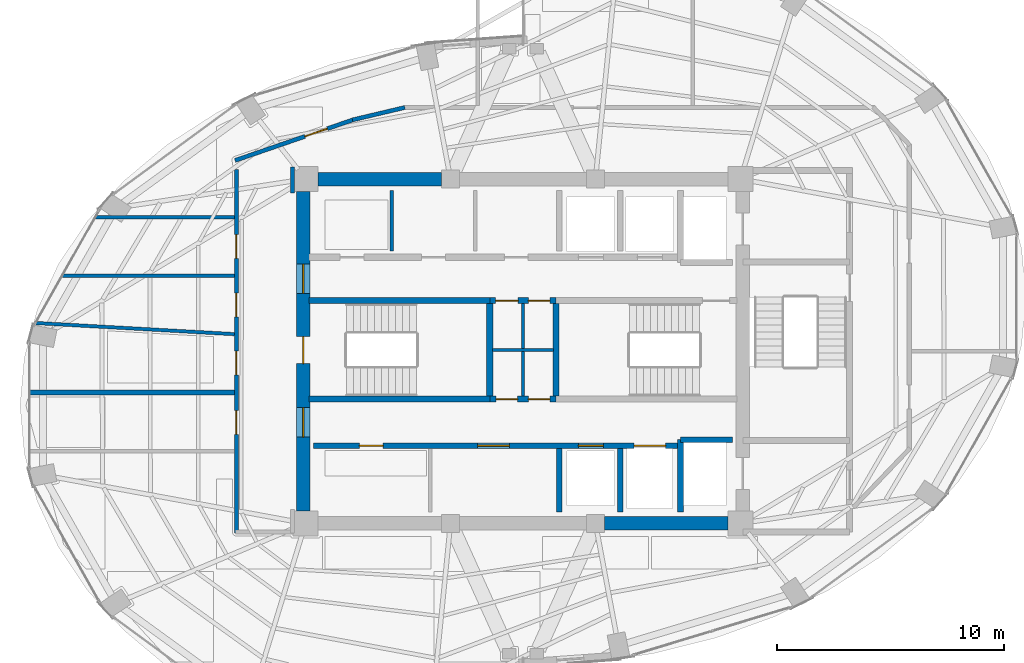
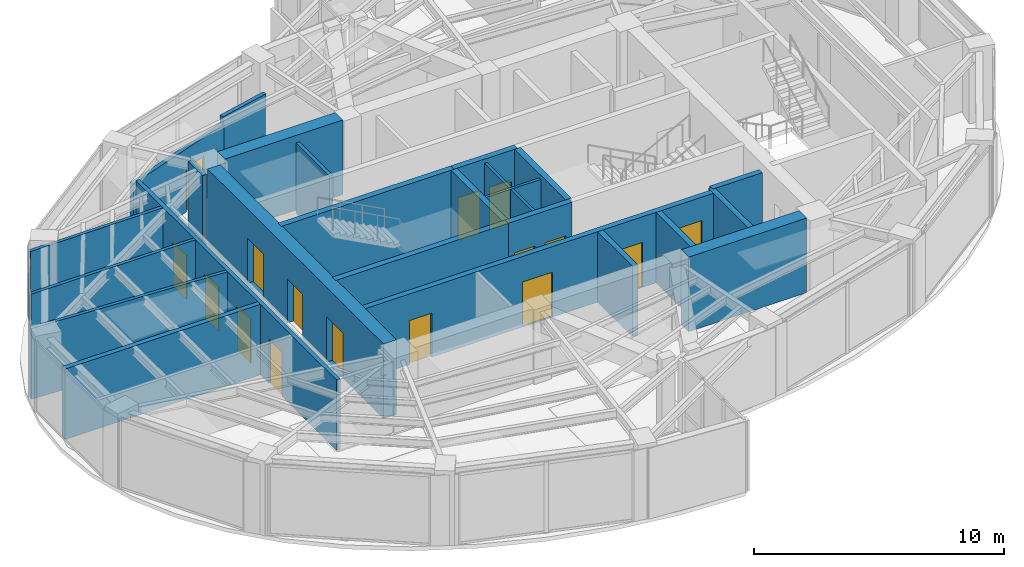
# One storey, part 19 of 23: 25 walls, 16 doors, 16 openings.
"""IFC4 building model written with IfcOpenShell, lengths in metres."""

from ifc_helpers import new_model, si_unit, direction, frame, frame_2d, origin, place, context, subcontext, project, spatial, rectangle, extrude, material, layer, layer_set, type_object, element, fill, save


model = new_model("IFC4")

# Units and contexts
model_context = context("Model", 3, precision=1e-05, world=origin(), true_north=direction((0.0, 1.0)))
body_context = subcontext(model_context, "Body", "Model", "MODEL_VIEW")
ifc_project = project(units=[si_unit("LENGTHUNIT", "METRE"), si_unit("AREAUNIT", "SQUARE_METRE"), si_unit("VOLUMEUNIT", "CUBIC_METRE"), si_unit("PLANEANGLEUNIT", "RADIAN"), si_unit("MASSUNIT", "GRAM", prefix="KILO")], contexts=[model_context])

# Site, building, storey
site_placement = place(None, origin())
site = spatial("IfcSite", under=ifc_project, at=site_placement, CompositionType="ELEMENT")
building_placement = place(site_placement, origin())
building = spatial("IfcBuilding", under=site, at=building_placement, Name="Lazwardi Medical Tower", CompositionType="ELEMENT")
storey_placement = place(building_placement, frame((0.0, 0.0, 209.424072265625)))
storey = spatial("IfcBuildingStorey", under=building, at=storey_placement, Name="L54", CompositionType="ELEMENT", Elevation=209.424072265625)

# Wall, opening, door
ifc_material_1 = material(Name="Fire-rated gypsum board on steel stud", Category="steel")
ifc_layer_1 = layer(ifc_material_1, 0.179931640625)
ifc_layer_set_1 = layer_set([ifc_layer_1], Name="Fire-rated gypsum board on steel stud")
wall_type_1 = type_object("IfcWallType", Name="WL-COR-180", PredefinedType="PARTITIONING", material=ifc_layer_set_1)
wall_1_placement = place(storey_placement, frame((23.294189453125, 36.422119140625, 0.0), z_axis=(0.0, 0.0, 1.0), x_axis=(0.945493277461, 0.325641616316, 0.0)))
wall_1 = element("IfcWall", 1, at=wall_1_placement, inside=storey, type_object=wall_type_1, Name="L54 Corridor partition 1", PredefinedType="PARTITIONING", context=body_context, shape_type="SweptSolid", body=[
    extrude(rectangle(XDim=5.5615234375, YDim=0.179931640625, at=frame_2d((2.78076171875, 0.0))), origin(), (0.0, 0.0, 1.0), 3.072998046875),
])
opening_1_placement = place(wall_1_placement, frame((3.255859375, 0.0, 0.0)))
opening_1 = element("IfcOpeningElement", 2, at=opening_1_placement, cuts=wall_1, Name="Opening D-L54-019", PredefinedType="OPENING", context=body_context, shape_type="SweptSolid", body=[
    extrude(rectangle(XDim=1.050048828125, YDim=2.14990234375, at=frame_2d((0.52490234375, 1.074951171875))), frame((0.0, 0.099853515625, 0.0), z_axis=(0.0, -1.0, 0.0), x_axis=(1.0, 0.0, 0.0)), (0.0, 0.0, 1.0), 0.199951171875),
])
ifc_material_2 = material(Name="Anti-microbial laminate hospital leaf")
door_type_1 = type_object("IfcDoorType", Name="DR-CLN-1050", OperationType="NOTDEFINED", PredefinedType="DOOR", material=ifc_material_2)
door_1_placement = place(opening_1_placement, origin())
door_1 = element("IfcDoor", 3, at=door_1_placement, inside=storey, type_object=door_type_1, Name="L54 Outpatient Consultation Suite Door 06", OperationType="SINGLE_SWING_LEFT", OverallHeight=2.14990234375, OverallWidth=1.050048828125, PredefinedType="DOOR", context=body_context, shape_type="SweptSolid", body=[
    extrude(rectangle(XDim=1.050048828125, YDim=2.14990234375, at=frame_2d((0.52490234375, 1.074951171875))), frame((0.0, 0.02490234375, 0.0), z_axis=(0.0, -1.0, 0.0), x_axis=(1.0, 0.0, 0.0)), (0.0, 0.0, 1.0), 0.050048828125),
])
fill(opening_1, door_1)

# Walls
wall_2_placement = place(storey_placement, frame((28.475830078125, 38.2109375, 0.0), z_axis=(0.0, 0.0, 1.0), x_axis=(0.973030562203, 0.230676234189, 0.0)))
element("IfcWall", 4, at=wall_2_placement, inside=storey, type_object=wall_type_1, Name="L54 Corridor partition 2", PredefinedType="PARTITIONING", context=body_context, shape_type="SweptSolid", body=[
    extrude(rectangle(XDim=2.377197265625, YDim=0.179931640625, at=frame_2d((1.1884765625, 0.0))), origin(), (0.0, 0.0, 1.0), 3.447998046875),
])
wall_3_placement = place(storey_placement, frame((25.830078125, 36.139892578125, 0.0), z_axis=(0.0, 0.0, 1.0), x_axis=(0.0, -1.0, 0.0)))
element("IfcWall", 5, at=wall_3_placement, inside=storey, type_object=wall_type_1, Name="L54 Corridor partition 7", PredefinedType="PARTITIONING", context=body_context, shape_type="SweptSolid", body=[
    extrude(rectangle(XDim=1.14990234375, YDim=0.179931640625, at=frame_2d((0.574951171875, 0.0))), origin(), (0.0, 0.0, 1.0), 3.447998046875),
])

# Wall, openings, doors
wall_4_placement = place(storey_placement, frame((23.35009765625, 19.97998046875, 0.0), z_axis=(0.0, 0.0, 1.0), x_axis=(0.0, 1.0, 0.0)))
wall_4 = element("IfcWall", 6, at=wall_4_placement, inside=storey, type_object=wall_type_1, Name="L54 Corridor partition 10", PredefinedType="PARTITIONING", context=body_context, shape_type="SweptSolid", body=[
    extrude(rectangle(XDim=16.04248046875, YDim=0.179931640625, at=frame_2d((8.021240234375, 0.0))), origin(), (0.0, 0.0, 1.0), 3.447998046875),
])
opening_2_placement = place(wall_4_placement, frame((6.974853515625, 0.0, 0.0)))
opening_2 = element("IfcOpeningElement", 7, at=opening_2_placement, cuts=wall_4, Name="Opening D-L54-014", PredefinedType="OPENING", context=body_context, shape_type="SweptSolid", body=[
    extrude(rectangle(XDim=1.050048828125, YDim=2.14990234375, at=frame_2d((0.52490234375, 1.074951171875))), frame((0.0, 0.099853515625, 0.0), z_axis=(0.0, -1.0, 0.0), x_axis=(1.0, 0.0, 0.0)), (0.0, 0.0, 1.0), 0.199951171875),
])
opening_3_placement = place(wall_4_placement, frame((4.3525390625, 0.0, 0.0)))
opening_3 = element("IfcOpeningElement", 8, at=opening_3_placement, cuts=wall_4, Name="Opening D-L54-015", PredefinedType="OPENING", context=body_context, shape_type="SweptSolid", body=[
    extrude(rectangle(XDim=1.050048828125, YDim=2.14990234375, at=frame_2d((0.52490234375, 1.074951171875))), frame((0.0, 0.099853515625, 0.0), z_axis=(0.0, -1.0, 0.0), x_axis=(1.0, 0.0, 0.0)), (0.0, 0.0, 1.0), 0.199951171875),
])
opening_4_placement = place(wall_4_placement, frame((12.1201171875, 0.0, 0.0)))
opening_4 = element("IfcOpeningElement", 9, at=opening_4_placement, cuts=wall_4, Name="Opening D-L54-020", PredefinedType="OPENING", context=body_context, shape_type="SweptSolid", body=[
    extrude(rectangle(XDim=1.050048828125, YDim=2.14990234375, at=frame_2d((0.52490234375, 1.074951171875))), frame((0.0, 0.099853515625, 0.0), z_axis=(0.0, -1.0, 0.0), x_axis=(1.0, 0.0, 0.0)), (0.0, 0.0, 1.0), 0.199951171875),
])
opening_5_placement = place(wall_4_placement, frame((9.537109375, 0.0, 0.0)))
opening_5 = element("IfcOpeningElement", 10, at=opening_5_placement, cuts=wall_4, Name="Opening D-L54-021", PredefinedType="OPENING", context=body_context, shape_type="SweptSolid", body=[
    extrude(rectangle(XDim=1.050048828125, YDim=2.14990234375, at=frame_2d((0.52490234375, 1.074951171875))), frame((0.0, 0.099853515625, 0.0), z_axis=(0.0, -1.0, 0.0), x_axis=(1.0, 0.0, 0.0)), (0.0, 0.0, 1.0), 0.199951171875),
])
door_2_placement = place(opening_2_placement, origin())
door_2 = element("IfcDoor", 11, at=door_2_placement, inside=storey, type_object=door_type_1, Name="L54 Outpatient Consultation Suite Door 01", OperationType="SINGLE_SWING_RIGHT", OverallHeight=2.14990234375, OverallWidth=1.050048828125, PredefinedType="DOOR", context=body_context, shape_type="SweptSolid", body=[
    extrude(rectangle(XDim=1.050048828125, YDim=2.14990234375, at=frame_2d((0.52490234375, 1.074951171875))), frame((0.0, 0.02490234375, 0.0), z_axis=(0.0, -1.0, 0.0), x_axis=(1.0, 0.0, 0.0)), (0.0, 0.0, 1.0), 0.050048828125),
])
fill(opening_2, door_2)
door_3_placement = place(opening_3_placement, origin())
door_3 = element("IfcDoor", 12, at=door_3_placement, inside=storey, type_object=door_type_1, Name="L54 Outpatient Clinic Door 02", OperationType="SINGLE_SWING_LEFT", OverallHeight=2.14990234375, OverallWidth=1.050048828125, PredefinedType="DOOR", context=body_context, shape_type="SweptSolid", body=[
    extrude(rectangle(XDim=1.050048828125, YDim=2.14990234375, at=frame_2d((0.52490234375, 1.074951171875))), frame((0.0, 0.02490234375, 0.0), z_axis=(0.0, -1.0, 0.0), x_axis=(1.0, 0.0, 0.0)), (0.0, 0.0, 1.0), 0.050048828125),
])
fill(opening_3, door_3)
door_4_placement = place(opening_4_placement, origin())
door_4 = element("IfcDoor", 13, at=door_4_placement, inside=storey, type_object=door_type_1, Name="L54 Outpatient Consultation Suite Door 07", OperationType="SINGLE_SWING_RIGHT", OverallHeight=2.14990234375, OverallWidth=1.050048828125, PredefinedType="DOOR", context=body_context, shape_type="SweptSolid", body=[
    extrude(rectangle(XDim=1.050048828125, YDim=2.14990234375, at=frame_2d((0.52490234375, 1.074951171875))), frame((0.0, 0.02490234375, 0.0), z_axis=(0.0, -1.0, 0.0), x_axis=(1.0, 0.0, 0.0)), (0.0, 0.0, 1.0), 0.050048828125),
])
fill(opening_4, door_4)
door_5_placement = place(opening_5_placement, origin())
door_5 = element("IfcDoor", 14, at=door_5_placement, inside=storey, type_object=door_type_1, Name="L54 Outpatient Consultation Suite Door 08", OperationType="SINGLE_SWING_LEFT", OverallHeight=2.14990234375, OverallWidth=1.050048828125, PredefinedType="DOOR", context=body_context, shape_type="SweptSolid", body=[
    extrude(rectangle(XDim=1.050048828125, YDim=2.14990234375, at=frame_2d((0.52490234375, 1.074951171875))), frame((0.0, 0.02490234375, 0.0), z_axis=(0.0, -1.0, 0.0), x_axis=(1.0, 0.0, 0.0)), (0.0, 0.0, 1.0), 0.050048828125),
])
fill(opening_5, door_5)

ifc_material_3 = material(Name="Concrete C60/75", Category="concrete")
ifc_layer_2 = layer(ifc_material_3, 0.60009765625)
ifc_layer_set_2 = layer_set([ifc_layer_2], Name="Concrete C60/75")
wall_type_2 = type_object("IfcWallType", Name="WL-CORE-600", PredefinedType="SHEAR", material=ifc_layer_set_2)
wall_5_placement = place(storey_placement, frame((26.300048828125, 20.949951171875, 0.0), z_axis=(0.0, 0.0, 1.0), x_axis=(0.0, 1.0, 0.0)))
wall_5 = element("IfcWall", 15, at=wall_5_placement, inside=storey, type_object=wall_type_2, Name="Core wall CW-S3 west L54", PredefinedType="SHEAR", context=body_context, shape_type="SweptSolid", body=[
    extrude(rectangle(XDim=14.10009765625, YDim=0.60009765625, at=frame_2d((7.050048828125, 0.0))), origin(), (0.0, 0.0, 1.0), 3.64794921875),
])
opening_6_placement = place(wall_5_placement, frame((6.5, 0.0, 0.0)))
opening_6 = element("IfcOpeningElement", 16, at=opening_6_placement, cuts=wall_5, Name="Opening D-L54-022", PredefinedType="OPENING", context=body_context, shape_type="SweptSolid", body=[
    extrude(rectangle(XDim=1.199951171875, YDim=2.14990234375, at=frame_2d((0.60009765625, 1.074951171875))), frame((0.0, 0.31005859375, 0.0), z_axis=(0.0, -1.0, 0.0), x_axis=(1.0, 0.0, 0.0)), (0.0, 0.0, 1.0), 0.6201171875),
])
opening_7_placement = place(wall_5_placement, frame((9.60009765625, 0.0, 0.0)))
opening_7 = element("IfcOpeningElement", 17, at=opening_7_placement, cuts=wall_5, Name="Opening D-L54-012", PredefinedType="OPENING", context=body_context, shape_type="SweptSolid", body=[
    extrude(rectangle(XDim=1.300048828125, YDim=2.199951171875, at=frame_2d((0.64990234375, 1.10009765625))), frame((0.0, 0.31005859375, 0.0), z_axis=(0.0, -1.0, 0.0), x_axis=(1.0, 0.0, 0.0)), (0.0, 0.0, 1.0), 0.6201171875),
])
opening_8_placement = place(wall_5_placement, frame((3.260009765625, 0.0, 0.0)))
opening_8 = element("IfcOpeningElement", 18, at=opening_8_placement, cuts=wall_5, Name="Opening D-L54-013", PredefinedType="OPENING", context=body_context, shape_type="SweptSolid", body=[
    extrude(rectangle(XDim=1.300048828125, YDim=2.199951171875, at=frame_2d((0.64990234375, 1.10009765625))), frame((0.0, 0.31005859375, 0.0), z_axis=(0.0, -1.0, 0.0), x_axis=(1.0, 0.0, 0.0)), (0.0, 0.0, 1.0), 0.6201171875),
])
ifc_material_4 = material(Name="Fire-rated steel leaf and frame", Category="steel")
door_type_2 = type_object("IfcDoorType", Name="DR-FFL-1300", OperationType="NOTDEFINED", PredefinedType="DOOR", material=ifc_material_4)
door_6_placement = place(opening_7_placement, origin())
door_6 = element("IfcDoor", 19, at=door_6_placement, inside=storey, type_object=door_type_2, Name="L54 North Lift Lobby Door", OperationType="SINGLE_SWING_RIGHT", OverallHeight=2.199951171875, OverallWidth=1.300048828125, PredefinedType="DOOR", context=body_context, shape_type="SweptSolid", body=[
    extrude(rectangle(XDim=1.300048828125, YDim=2.199951171875, at=frame_2d((0.64990234375, 1.10009765625))), frame((0.0, 0.02490234375, 0.0), z_axis=(0.0, -1.0, 0.0), x_axis=(1.0, 0.0, 0.0)), (0.0, 0.0, 1.0), 0.050048828125),
])
fill(opening_7, door_6)
door_7_placement = place(opening_8_placement, origin())
door_7 = element("IfcDoor", 20, at=door_7_placement, inside=storey, type_object=door_type_2, Name="L54 South Lift Lobby Door", OperationType="SINGLE_SWING_LEFT", OverallHeight=2.199951171875, OverallWidth=1.300048828125, PredefinedType="DOOR", context=body_context, shape_type="SweptSolid", body=[
    extrude(rectangle(XDim=1.300048828125, YDim=2.199951171875, at=frame_2d((0.64990234375, 1.10009765625))), frame((0.0, 0.02490234375, 0.0), z_axis=(0.0, -1.0, 0.0), x_axis=(1.0, 0.0, 0.0)), (0.0, 0.0, 1.0), 0.050048828125),
])
fill(opening_8, door_7)
door_type_3 = type_object("IfcDoorType", Name="DR-STR-1200", OperationType="NOTDEFINED", PredefinedType="DOOR", material=ifc_material_4)
door_8_placement = place(opening_6_placement, origin())
door_8 = element("IfcDoor", 21, at=door_8_placement, inside=storey, type_object=door_type_3, Name="L54 Exit Stair ST1 Door", OperationType="SINGLE_SWING_RIGHT", OverallHeight=2.14990234375, OverallWidth=1.199951171875, PredefinedType="DOOR", context=body_context, shape_type="SweptSolid", body=[
    extrude(rectangle(XDim=1.199951171875, YDim=2.14990234375, at=frame_2d((0.60009765625, 1.074951171875))), frame((0.0, 0.02490234375, 0.0), z_axis=(0.0, -1.0, 0.0), x_axis=(1.0, 0.0, 0.0)), (0.0, 0.0, 1.0), 0.050048828125),
])
fill(opening_6, door_8)

# Walls
for number, where, z_axis, x_axis, name in (
    (22, (26.949951171875, 35.60009765625, 0.0), (0.0, 0.0, 1.0), (1.0, 0.0, 0.0), "Core wall CW-S3 N1 L54"),
    (23, (39.60009765625, 20.39990234375, 0.0), (0.0, 0.0, 1.0), (1.0, 0.0, 0.0), "Core wall CW-S3 S3 L54"),
):
    element("IfcWall", number, at=place(storey_placement, frame(where, z_axis=z_axis, x_axis=x_axis)), inside=storey, type_object=wall_type_2, Name=name, PredefinedType="SHEAR", context=body_context, shape_type="SweptSolid", body=[
        extrude(rectangle(XDim=5.449951171875, YDim=0.60009765625, at=frame_2d((2.72509765625, 0.0))), origin(), (0.0, 0.0, 1.0), 3.64794921875),
    ])
ifc_material_5 = material(Name="Moisture-resistant gypsum board partition")
ifc_layer_3 = layer(ifc_material_5, 0.125)
ifc_layer_set_3 = layer_set([ifc_layer_3], Name="Moisture-resistant gypsum board partition")
wall_type_3 = type_object("IfcWallType", Name="WL-ENS-125", PredefinedType="PARTITIONING", material=ifc_layer_set_3)
wall_6_placement = place(storey_placement, frame((34.64990234375, 28.06005859375, 0.0), z_axis=(0.0, 0.0, 1.0), x_axis=(1.0, 0.0, 0.0)))
element("IfcWall", 24, at=wall_6_placement, inside=storey, type_object=wall_type_3, Name="L54 Core 4-way H divider", PredefinedType="PARTITIONING", context=body_context, shape_type="SweptSolid", body=[
    extrude(rectangle(XDim=2.7001953125, YDim=0.125, at=frame_2d((1.35009765625, 0.0))), origin(), (0.0, 0.0, 1.0), 3.447998046875),
])
wall_7_placement = place(storey_placement, frame((36.0, 26.02001953125, 0.0), z_axis=(0.0, 0.0, 1.0), x_axis=(0.0, 1.0, 0.0)))
element("IfcWall", 25, at=wall_7_placement, inside=storey, type_object=wall_type_3, Name="L54 Core 4-way V divider", PredefinedType="PARTITIONING", context=body_context, shape_type="SweptSolid", body=[
    extrude(rectangle(XDim=4.080078125, YDim=0.125, at=frame_2d((2.0400390625, 0.0))), origin(), (0.0, 0.0, 1.0), 3.447998046875),
])

# Wall, openings, doors
ifc_material_6 = material(Name="Autoclaved aerated concrete blockwork", Category="masonry")
ifc_layer_4 = layer(ifc_material_6, 0.25)
ifc_layer_set_4 = layer_set([ifc_layer_4], Name="Autoclaved aerated concrete blockwork")
wall_type_4 = type_object("IfcWallType", Name="WL-SHAFT-250", PredefinedType="SOLIDWALL", material=ifc_layer_set_4)
wall_8_placement = place(storey_placement, frame((26.75, 23.830078125, 0.0), z_axis=(0.0, 0.0, 1.0), x_axis=(1.0, 0.0, 0.0)))
wall_8 = element("IfcWall", 26, at=wall_8_placement, inside=storey, type_object=wall_type_4, Name="L54 South lift bank front wall", PredefinedType="SOLIDWALL", context=body_context, shape_type="SweptSolid", body=[
    extrude(rectangle(XDim=16.199951171875, YDim=0.25, at=frame_2d((8.10009765625, 0.0))), origin(), (0.0, 0.0, 1.0), 3.447998046875),
])
opening_9_placement = place(wall_8_placement, frame((2.02490234375, 0.0, 0.0)))
opening_9 = element("IfcOpeningElement", 27, at=opening_9_placement, cuts=wall_8, Name="Opening D-L54-008", PredefinedType="OPENING", context=body_context, shape_type="SweptSolid", body=[
    extrude(rectangle(XDim=1.050048828125, YDim=2.14990234375, at=frame_2d((0.52490234375, 1.074951171875))), frame((0.0, 0.135009765625, 0.0), z_axis=(0.0, -1.0, 0.0), x_axis=(1.0, 0.0, 0.0)), (0.0, 0.0, 1.0), 0.27001953125),
])
opening_10_placement = place(wall_8_placement, frame((7.25, 0.0, 0.0)))
opening_10 = element("IfcOpeningElement", 28, at=opening_10_placement, cuts=wall_8, Name="Opening D-L54-009", PredefinedType="OPENING", context=body_context, shape_type="SweptSolid", body=[
    extrude(rectangle(XDim=1.39990234375, YDim=2.199951171875, at=frame_2d((0.699951171875, 1.10009765625))), frame((0.0, 0.135009765625, 0.0), z_axis=(0.0, -1.0, 0.0), x_axis=(1.0, 0.0, 0.0)), (0.0, 0.0, 1.0), 0.27001953125),
])
opening_11_placement = place(wall_8_placement, frame((11.699951171875, 0.0, 0.0)))
opening_11 = element("IfcOpeningElement", 29, at=opening_11_placement, cuts=wall_8, Name="Opening LD-L54-006", PredefinedType="OPENING", context=body_context, shape_type="SweptSolid", body=[
    extrude(rectangle(XDim=1.10009765625, YDim=2.199951171875, at=frame_2d((0.550048828125, 1.10009765625))), frame((0.0, 0.135009765625, 0.0), z_axis=(0.0, -1.0, 0.0), x_axis=(1.0, 0.0, 0.0)), (0.0, 0.0, 1.0), 0.27001953125),
])
opening_12_placement = place(wall_8_placement, frame((14.14990234375, 0.0, 0.0)))
opening_12 = element("IfcOpeningElement", 30, at=opening_12_placement, cuts=wall_8, Name="Opening LD-L54-003", PredefinedType="OPENING", context=body_context, shape_type="SweptSolid", body=[
    extrude(rectangle(XDim=1.39990234375, YDim=2.300048828125, at=frame_2d((0.699951171875, 1.14990234375))), frame((0.0, 0.135009765625, 0.0), z_axis=(0.0, -1.0, 0.0), x_axis=(1.0, 0.0, 0.0)), (0.0, 0.0, 1.0), 0.27001953125),
])
door_type_4 = type_object("IfcDoorType", Name="DR-BED-1400", OperationType="NOTDEFINED", PredefinedType="DOOR", material=ifc_material_2)
door_9_placement = place(opening_10_placement, origin())
door_9 = element("IfcDoor", 31, at=door_9_placement, inside=storey, type_object=door_type_4, Name="L54 Dialysis Door", OperationType="SINGLE_SWING_RIGHT", OverallHeight=2.199951171875, OverallWidth=1.39990234375, PredefinedType="DOOR", context=body_context, shape_type="SweptSolid", body=[
    extrude(rectangle(XDim=1.39990234375, YDim=2.199951171875, at=frame_2d((0.699951171875, 1.10009765625))), frame((0.0, 0.02490234375, 0.0), z_axis=(0.0, -1.0, 0.0), x_axis=(1.0, 0.0, 0.0)), (0.0, 0.0, 1.0), 0.050048828125),
])
fill(opening_10, door_9)
door_10_placement = place(opening_9_placement, origin())
door_10 = element("IfcDoor", 32, at=door_10_placement, inside=storey, type_object=door_type_1, Name="L54 Clinical Laboratory Door", OperationType="SINGLE_SWING_LEFT", OverallHeight=2.14990234375, OverallWidth=1.050048828125, PredefinedType="DOOR", context=body_context, shape_type="SweptSolid", body=[
    extrude(rectangle(XDim=1.050048828125, YDim=2.14990234375, at=frame_2d((0.52490234375, 1.074951171875))), frame((0.0, 0.02490234375, 0.0), z_axis=(0.0, -1.0, 0.0), x_axis=(1.0, 0.0, 0.0)), (0.0, 0.0, 1.0), 0.050048828125),
])
fill(opening_9, door_10)
ifc_material_7 = material(Name="Brushed bronze stainless steel landing door", Category="steel")
door_type_5 = type_object("IfcDoorType", Name="DR-LFT-1100", OperationType="NOTDEFINED", PredefinedType="DOOR", material=ifc_material_7)
door_11_placement = place(opening_11_placement, origin())
door_11 = element("IfcDoor", 33, at=door_11_placement, inside=storey, type_object=door_type_5, Name="L54 Lift Landing Door PL-11", OperationType="SLIDING_TO_LEFT", OverallHeight=2.199951171875, OverallWidth=1.10009765625, PredefinedType="DOOR", context=body_context, shape_type="SweptSolid", body=[
    extrude(rectangle(XDim=1.10009765625, YDim=2.199951171875, at=frame_2d((0.550048828125, 1.10009765625))), frame((0.0, 0.02490234375, 0.0), z_axis=(0.0, -1.0, 0.0), x_axis=(1.0, 0.0, 0.0)), (0.0, 0.0, 1.0), 0.050048828125),
])
fill(opening_11, door_11)
ifc_material_8 = material(Name="Brushed stainless steel bed-lift landing door", Category="steel")
door_type_6 = type_object("IfcDoorType", Name="DR-LFT-1400", OperationType="NOTDEFINED", PredefinedType="DOOR", material=ifc_material_8)
door_12_placement = place(opening_12_placement, origin())
door_12 = element("IfcDoor", 34, at=door_12_placement, inside=storey, type_object=door_type_6, Name="L54 Lift Landing Door FL-03", OperationType="SLIDING_TO_LEFT", OverallHeight=2.300048828125, OverallWidth=1.39990234375, PredefinedType="DOOR", context=body_context, shape_type="SweptSolid", body=[
    extrude(rectangle(XDim=1.39990234375, YDim=2.300048828125, at=frame_2d((0.699951171875, 1.14990234375))), frame((0.0, 0.02490234375, 0.0), z_axis=(0.0, -1.0, 0.0), x_axis=(1.0, 0.0, 0.0)), (0.0, 0.0, 1.0), 0.050048828125),
])
fill(opening_12, door_12)

# Walls
wall_9_placement = place(storey_placement, frame((42.949951171875, 20.89990234375, 0.0), z_axis=(0.0, 0.0, 1.0), x_axis=(0.0, 1.0, 0.0)))
element("IfcWall", 35, at=wall_9_placement, inside=storey, type_object=wall_type_4, Name="L54 FL-02 West shaft wall", PredefinedType="SOLIDWALL", context=body_context, shape_type="SweptSolid", body=[
    extrude(rectangle(XDim=3.2001953125, YDim=0.25, at=frame_2d((1.60009765625, 0.0))), origin(), (0.0, 0.0, 1.0), 3.447998046875),
])
wall_10_placement = place(storey_placement, frame((42.949951171875, 24.10009765625, 0.0), z_axis=(0.0, 0.0, 1.0), x_axis=(1.0, 0.0, 0.0)))
element("IfcWall", 36, at=wall_10_placement, inside=storey, type_object=wall_type_4, Name="L54 FL-02 North shaft wall", PredefinedType="SOLIDWALL", context=body_context, shape_type="SweptSolid", body=[
    extrude(rectangle(XDim=2.300048828125, YDim=0.25, at=frame_2d((1.14990234375, 0.0))), origin(), (0.0, 0.0, 1.0), 3.447998046875),
])
for number, where, z_axis, x_axis, name in (
    (37, (37.60009765625, 20.89990234375, 0.0), (0.0, 0.0, 1.0), (0.0, 1.0, 0.0), "L54 South hoistway divider"),
    (38, (40.300048828125, 20.89990234375, 0.0), (0.0, 0.0, 1.0), (0.0, 1.0, 0.0), "L54 South hoistway divider"),
):
    element("IfcWall", number, at=place(storey_placement, frame(where, z_axis=z_axis, x_axis=x_axis)), inside=storey, type_object=wall_type_4, Name=name, PredefinedType="SOLIDWALL", context=body_context, shape_type="SweptSolid", body=[
        extrude(rectangle(XDim=2.800048828125, YDim=0.25, at=frame_2d((1.39990234375, 0.0))), origin(), (0.0, 0.0, 1.0), 3.447998046875),
    ])
ifc_layer_5 = layer(ifc_material_1, 0.219970703125)
ifc_layer_set_5 = layer_set([ifc_layer_5], Name="Fire-rated gypsum board on steel stud")
wall_type_5 = type_object("IfcWallType", Name="WL-SMK-220", PredefinedType="PARTITIONING", material=ifc_layer_set_5)
wall_11_placement = place(storey_placement, frame((14.228271484375, 26.169921875, 0.0), z_axis=(0.0, 0.0, 1.0), x_axis=(1.0, 0.0, 0.0)))
element("IfcWall", 39, at=wall_11_placement, inside=storey, type_object=wall_type_5, Name="L54 Room partition 2", PredefinedType="PARTITIONING", context=body_context, shape_type="SweptSolid", body=[
    extrude(rectangle(XDim=9.03173828125, YDim=0.219970703125, at=frame_2d((4.515869140625, 0.0))), origin(), (0.0, 0.0, 1.0), 3.447998046875),
])
ifc_material_9 = material(Name="Concrete C50/60", Category="concrete")
ifc_layer_6 = layer(ifc_material_9, 0.27001953125)
ifc_layer_set_6 = layer_set([ifc_layer_6], Name="Concrete C50/60")
wall_type_6 = type_object("IfcWallType", Name="WL-STR-250", PredefinedType="SHEAR", material=ifc_layer_set_6)
wall_12_placement = place(storey_placement, frame((26.550048828125, 30.235107421875, 0.0), z_axis=(0.0, 0.0, 1.0), x_axis=(1.0, 0.0, 0.0)))
element("IfcWall", 40, at=wall_12_placement, inside=storey, type_object=wall_type_6, Name="L54 ST1 North shear shaft wall SW-S1", PredefinedType="SHEAR", context=body_context, shape_type="SweptSolid", body=[
    extrude(rectangle(XDim=7.98486328125, YDim=0.27001953125, at=frame_2d((3.992431640625, 0.0))), origin(), (0.0, 0.0, 1.0), 3.64794921875),
])

# Wall, openings, doors
wall_13_placement = place(storey_placement, frame((34.534912109375, 30.235107421875, 0.0), z_axis=(0.0, 0.0, 1.0), x_axis=(1.0, 0.0, 0.0)))
wall_13 = element("IfcWall", 41, at=wall_13_placement, inside=storey, type_object=wall_type_6, Name="L54 Core service North shear wall SW-S1", PredefinedType="SHEAR", context=body_context, shape_type="SweptSolid", body=[
    extrude(rectangle(XDim=2.93017578125, YDim=0.27001953125, at=frame_2d((1.465087890625, 0.0))), origin(), (0.0, 0.0, 1.0), 3.64794921875),
])
opening_13_placement = place(wall_13_placement, frame((0.2548828125, 0.0, 0.0)))
opening_13 = element("IfcOpeningElement", 42, at=opening_13_placement, cuts=wall_13, Name="Opening D-L54-003", PredefinedType="OPENING", context=body_context, shape_type="SweptSolid", body=[
    extrude(rectangle(XDim=1.0, YDim=2.10009765625, at=frame_2d((0.5, 1.050048828125))), frame((0.0, 0.14501953125, 0.0), z_axis=(0.0, -1.0, 0.0), x_axis=(1.0, 0.0, 0.0)), (0.0, 0.0, 1.0), 0.2900390625),
])
opening_14_placement = place(wall_13_placement, frame((1.699951171875, 0.0, 0.0)))
opening_14 = element("IfcOpeningElement", 43, at=opening_14_placement, cuts=wall_13, Name="Opening D-L54-004", PredefinedType="OPENING", context=body_context, shape_type="SweptSolid", body=[
    extrude(rectangle(XDim=0.949951171875, YDim=2.10009765625, at=frame_2d((0.47509765625, 1.050048828125))), frame((0.0, 0.14501953125, 0.0), z_axis=(0.0, -1.0, 0.0), x_axis=(1.0, 0.0, 0.0)), (0.0, 0.0, 1.0), 0.2900390625),
])
ifc_material_10 = material(Name="Moisture-resistant laminate door leaf")
door_type_7 = type_object("IfcDoorType", Name="DR-AWC-1000", OperationType="NOTDEFINED", PredefinedType="DOOR", material=ifc_material_10)
door_13_placement = place(opening_13_placement, origin())
door_13 = element("IfcDoor", 44, at=door_13_placement, inside=storey, type_object=door_type_7, Name="L54 Accessible WC Door", OperationType="SINGLE_SWING_RIGHT", OverallHeight=2.10009765625, OverallWidth=1.0, PredefinedType="DOOR", context=body_context, shape_type="SweptSolid", body=[
    extrude(rectangle(XDim=1.0, YDim=2.10009765625, at=frame_2d((0.5, 1.050048828125))), frame((0.0, 0.02490234375, 0.0), z_axis=(0.0, -1.0, 0.0), x_axis=(1.0, 0.0, 0.0)), (0.0, 0.0, 1.0), 0.050048828125),
])
fill(opening_13, door_13)
door_type_8 = type_object("IfcDoorType", Name="DR-ENS-950", OperationType="NOTDEFINED", PredefinedType="DOOR", material=ifc_material_10)
door_14_placement = place(opening_14_placement, origin())
door_14 = element("IfcDoor", 45, at=door_14_placement, inside=storey, type_object=door_type_8, Name="L54 Clean Utility Door", OperationType="SINGLE_SWING_LEFT", OverallHeight=2.10009765625, OverallWidth=0.949951171875, PredefinedType="DOOR", context=body_context, shape_type="SweptSolid", body=[
    extrude(rectangle(XDim=0.949951171875, YDim=2.10009765625, at=frame_2d((0.47509765625, 1.050048828125))), frame((0.0, 0.02490234375, 0.0), z_axis=(0.0, -1.0, 0.0), x_axis=(1.0, 0.0, 0.0)), (0.0, 0.0, 1.0), 0.050048828125),
])
fill(opening_14, door_14)

# Wall
wall_14_placement = place(storey_placement, frame((26.550048828125, 25.885009765625, 0.0), z_axis=(0.0, 0.0, 1.0), x_axis=(1.0, 0.0, 0.0)))
element("IfcWall", 46, at=wall_14_placement, inside=storey, type_object=wall_type_6, Name="L54 ST1 South shear shaft wall SW-S1", PredefinedType="SHEAR", context=body_context, shape_type="SweptSolid", body=[
    extrude(rectangle(XDim=7.98486328125, YDim=0.27001953125, at=frame_2d((3.992431640625, 0.0))), origin(), (0.0, 0.0, 1.0), 3.64794921875),
])

# Wall, openings, doors
wall_15_placement = place(storey_placement, frame((34.534912109375, 25.885009765625, 0.0), z_axis=(0.0, 0.0, 1.0), x_axis=(1.0, 0.0, 0.0)))
wall_15 = element("IfcWall", 47, at=wall_15_placement, inside=storey, type_object=wall_type_6, Name="L54 Core service South shear wall SW-S1", PredefinedType="SHEAR", context=body_context, shape_type="SweptSolid", body=[
    extrude(rectangle(XDim=2.93017578125, YDim=0.27001953125, at=frame_2d((1.465087890625, 0.0))), origin(), (0.0, 0.0, 1.0), 3.64794921875),
])
opening_15_placement = place(wall_15_placement, frame((0.280029296875, 0.0, 0.0)))
opening_15 = element("IfcOpeningElement", 48, at=opening_15_placement, cuts=wall_15, Name="Opening D-L54-001", PredefinedType="OPENING", context=body_context, shape_type="SweptSolid", body=[
    extrude(rectangle(XDim=0.949951171875, YDim=2.10009765625, at=frame_2d((0.47509765625, 1.050048828125))), frame((0.0, 0.14501953125, 0.0), z_axis=(0.0, -1.0, 0.0), x_axis=(1.0, 0.0, 0.0)), (0.0, 0.0, 1.0), 0.2900390625),
])
opening_16_placement = place(wall_15_placement, frame((1.699951171875, 0.0, 0.0)))
opening_16 = element("IfcOpeningElement", 49, at=opening_16_placement, cuts=wall_15, Name="Opening D-L54-002", PredefinedType="OPENING", context=body_context, shape_type="SweptSolid", body=[
    extrude(rectangle(XDim=0.949951171875, YDim=2.10009765625, at=frame_2d((0.47509765625, 1.050048828125))), frame((0.0, 0.14501953125, 0.0), z_axis=(0.0, -1.0, 0.0), x_axis=(1.0, 0.0, 0.0)), (0.0, 0.0, 1.0), 0.2900390625),
])
door_15_placement = place(opening_15_placement, origin())
door_15 = element("IfcDoor", 50, at=door_15_placement, inside=storey, type_object=door_type_8, Name="L54 Staff WC Door", OperationType="SINGLE_SWING_RIGHT", OverallHeight=2.10009765625, OverallWidth=0.949951171875, PredefinedType="DOOR", context=body_context, shape_type="SweptSolid", body=[
    extrude(rectangle(XDim=0.949951171875, YDim=2.10009765625, at=frame_2d((0.47509765625, 1.050048828125))), frame((0.0, 0.02490234375, 0.0), z_axis=(0.0, -1.0, 0.0), x_axis=(1.0, 0.0, 0.0)), (0.0, 0.0, 1.0), 0.050048828125),
])
fill(opening_15, door_15)
door_16_placement = place(opening_16_placement, origin())
door_16 = element("IfcDoor", 51, at=door_16_placement, inside=storey, type_object=door_type_8, Name="L54 Comms Room Door", OperationType="SINGLE_SWING_LEFT", OverallHeight=2.10009765625, OverallWidth=0.949951171875, PredefinedType="DOOR", context=body_context, shape_type="SweptSolid", body=[
    extrude(rectangle(XDim=0.949951171875, YDim=2.10009765625, at=frame_2d((0.47509765625, 1.050048828125))), frame((0.0, 0.02490234375, 0.0), z_axis=(0.0, -1.0, 0.0), x_axis=(1.0, 0.0, 0.0)), (0.0, 0.0, 1.0), 0.050048828125),
])
fill(opening_16, door_16)

# Walls
for number, where, z_axis, x_axis, name in (
    (52, (34.534912109375, 26.02001953125, 0.0), (0.0, 0.0, 1.0), (0.0, 1.0, 0.0), "L54 ST1 East shear shaft wall SW-S1"),
    (53, (37.465087890625, 26.02001953125, 0.0), (0.0, 0.0, 1.0), (0.0, 1.0, 0.0), "L54 ST2 West shear shaft wall SW-S1"),
):
    element("IfcWall", number, at=place(storey_placement, frame(where, z_axis=z_axis, x_axis=x_axis)), inside=storey, type_object=wall_type_6, Name=name, PredefinedType="SHEAR", context=body_context, shape_type="SweptSolid", body=[
        extrude(rectangle(XDim=4.080078125, YDim=0.27001953125, at=frame_2d((2.0400390625, 0.0))), origin(), (0.0, 0.0, 1.0), 3.64794921875),
    ])
ifc_material_11 = material(Name="Acoustic gypsum board partition")
ifc_layer_7 = layer(ifc_material_11, 0.14990234375)
ifc_layer_set_7 = layer_set([ifc_layer_7], Name="Acoustic gypsum board partition")
wall_type_7 = type_object("IfcWallType", Name="WL-WRD-150", PredefinedType="PARTITIONING", material=ifc_layer_set_7)
wall_16_placement = place(storey_placement, frame((30.199951171875, 32.419921875, 0.0), z_axis=(0.0, 0.0, 1.0), x_axis=(0.0, 1.0, 0.0)))
element("IfcWall", 54, at=wall_16_placement, inside=storey, type_object=wall_type_7, Name="L54 Freed bay2 N split A", PredefinedType="PARTITIONING", context=body_context, shape_type="SweptSolid", body=[
    extrude(rectangle(XDim=2.68017578125, YDim=0.14990234375, at=frame_2d((1.340087890625, 0.0))), origin(), (0.0, 0.0, 1.0), 3.447998046875),
])
wall_17_placement = place(storey_placement, frame((14.476806640625, 29.24658203125, 0.0), z_axis=(0.0, 0.0, 1.0), x_axis=(0.998432044673, -0.05597724689, 0.0)))
element("IfcWall", 55, at=wall_17_placement, inside=storey, type_object=wall_type_7, Name="L54 Room partition 3", PredefinedType="PARTITIONING", context=body_context, shape_type="SweptSolid", body=[
    extrude(rectangle(XDim=8.796875, YDim=0.14990234375, at=frame_2d((4.3984375, 0.0))), origin(), (0.0, 0.0, 1.0), 3.447998046875),
])
wall_18_placement = place(storey_placement, frame((15.668701171875, 31.330078125, 0.0), z_axis=(0.0, 0.0, 1.0), x_axis=(1.0, 0.0, 0.0)))
element("IfcWall", 56, at=wall_18_placement, inside=storey, type_object=wall_type_7, Name="L54 Room partition 4", PredefinedType="PARTITIONING", context=body_context, shape_type="SweptSolid", body=[
    extrude(rectangle(XDim=7.59130859375, YDim=0.14990234375, at=frame_2d((3.795654296875, 0.0))), origin(), (0.0, 0.0, 1.0), 3.447998046875),
])
wall_19_placement = place(storey_placement, frame((17.132080078125, 33.919921875, 0.0), z_axis=(0.0, 0.0, 1.0), x_axis=(1.0, 0.0, 0.0)))
element("IfcWall", 57, at=wall_19_placement, inside=storey, type_object=wall_type_7, Name="L54 Room partition 5", PredefinedType="PARTITIONING", context=body_context, shape_type="SweptSolid", body=[
    extrude(rectangle(XDim=6.1279296875, YDim=0.14990234375, at=frame_2d((3.06396484375, 0.0))), origin(), (0.0, 0.0, 1.0), 3.447998046875),
])

save(model, "model.ifc")
